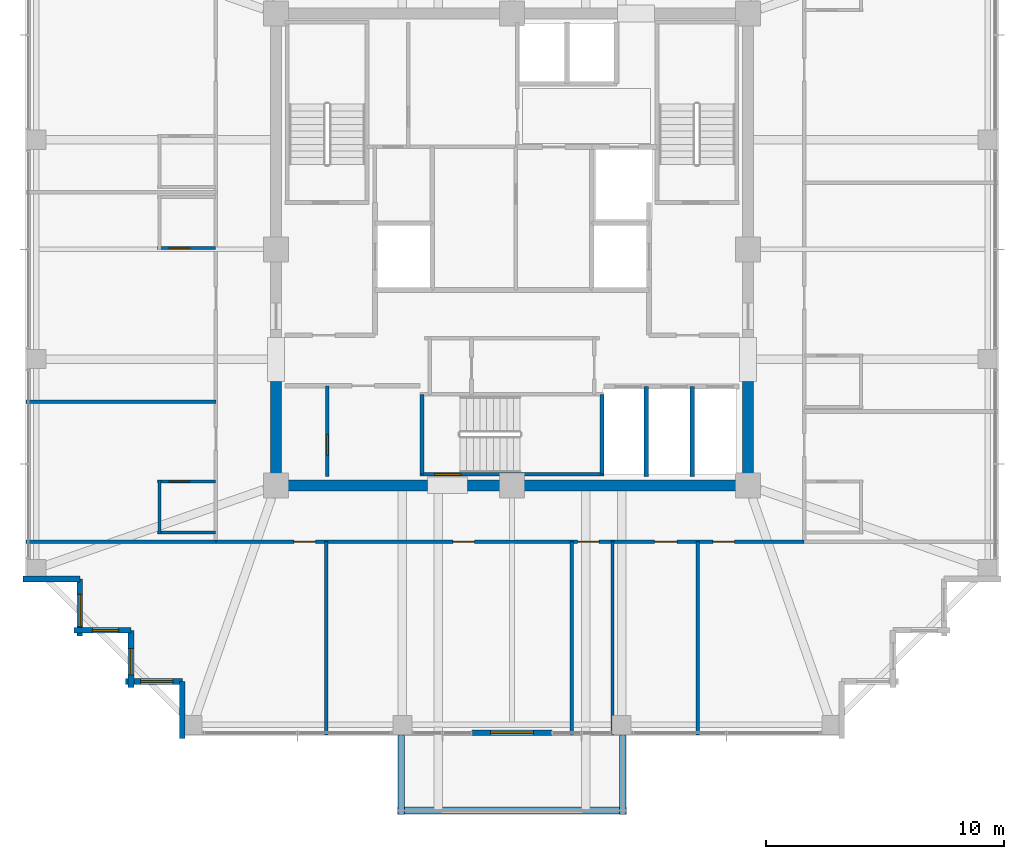
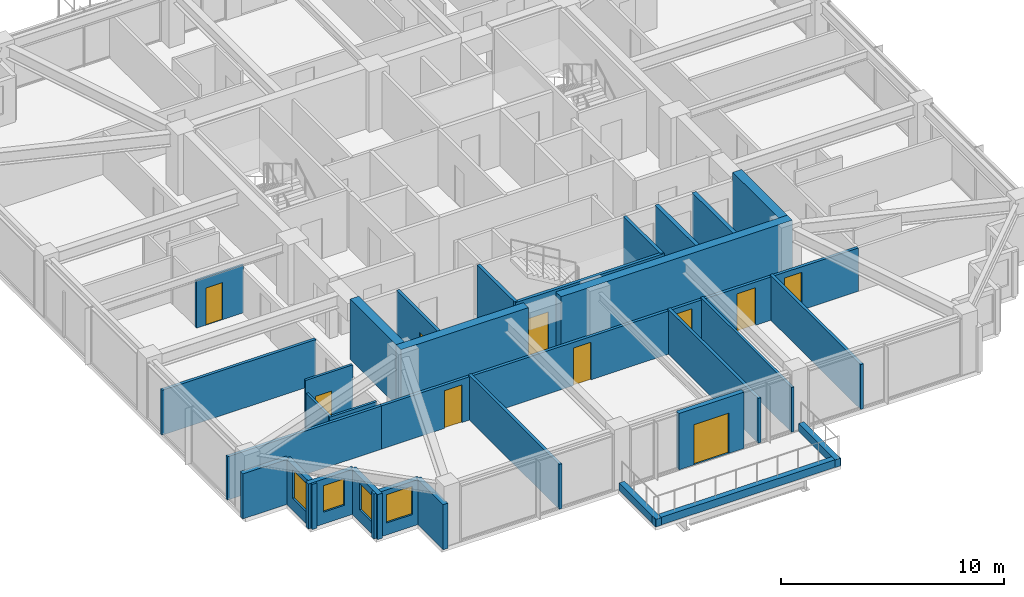
# One storey, part 30 of 36: 31 walls, 10 doors, 4 windows, 14 openings.
"""IFC4 building model written with IfcOpenShell, lengths in metres."""

from ifc_helpers import new_model, si_unit, direction, frame, frame_2d, origin, place, context, subcontext, project, spatial, rectangle, extrude, material, layer, layer_set, type_object, element, fill, save


model = new_model("IFC4")

# Units and contexts
model_context = context("Model", 3, precision=1e-05, world=origin(), true_north=direction((0.0, 1.0)))
body_context = subcontext(model_context, "Body", "Model", "MODEL_VIEW")
ifc_project = project(units=[si_unit("LENGTHUNIT", "METRE"), si_unit("AREAUNIT", "SQUARE_METRE"), si_unit("VOLUMEUNIT", "CUBIC_METRE"), si_unit("PLANEANGLEUNIT", "RADIAN"), si_unit("MASSUNIT", "GRAM", prefix="KILO")], contexts=[model_context])

# Site, building, storey
site_placement = place(None, origin())
site = spatial("IfcSite", under=ifc_project, at=site_placement, CompositionType="ELEMENT")
building_placement = place(site_placement, origin())
building = spatial("IfcBuilding", under=site, at=building_placement, Name="Kolvaren Belvedere", CompositionType="ELEMENT")
storey_placement = place(building_placement, frame((0.0, 0.0, 226.199951171875)))
storey = spatial("IfcBuildingStorey", under=building, at=storey_placement, Name="L66", CompositionType="ELEMENT", Elevation=226.199951171875)

# Walls
ifc_material_1 = material(Name="Concrete C50/60", Category="concrete")
ifc_layer_1 = layer(ifc_material_1, 0.449951171875)
ifc_layer_set_1 = layer_set([ifc_layer_1], Name="Concrete C50/60")
wall_type_1 = type_object("IfcWallType", Name="CW-CORE-450", PredefinedType="SHEAR", material=ifc_layer_set_1)
wall_1_placement = place(storey_placement, frame((10.125, -9.89990234375, 0.0), z_axis=(0.0, 0.0, 1.0), x_axis=(-1.0, 0.0, 0.0)))
element("IfcWall", 1, at=wall_1_placement, inside=storey, type_object=wall_type_1, Name="L66 South Core Shear Wall 1", PredefinedType="SHEAR", context=body_context, shape_type="SweptSolid", body=[
    extrude(rectangle(XDim=11.985107421875, YDim=0.449951171875, at=frame_2d((5.99267578125, 0.0))), origin(), (0.0, 0.0, 1.0), 3.300048828125),
])
wall_2_placement = place(storey_placement, frame((-3.5400390625, -9.89990234375, 0.0), z_axis=(0.0, 0.0, 1.0), x_axis=(-1.0, 0.0, 0.0)))
element("IfcWall", 2, at=wall_2_placement, inside=storey, type_object=wall_type_1, Name="L66 South Core Shear Wall 2", PredefinedType="SHEAR", context=body_context, shape_type="SweptSolid", body=[
    extrude(rectangle(XDim=6.5849609375, YDim=0.449951171875, at=frame_2d((3.29248046875, 0.0))), origin(), (0.0, 0.0, 1.0), 3.300048828125),
])
for number, where, z_axis, x_axis, name in (
    (3, (-9.89990234375, -9.675048828125, 0.0), (0.0, 0.0, 1.0), (0.0, 1.0, 0.0), "L66 West Core Shear Wall 1"),
    (4, (9.89990234375, -9.675048828125, 0.0), (0.0, 0.0, 1.0), (0.0, 1.0, 0.0), "L66 East Core Shear Wall 1"),
):
    element("IfcWall", number, at=place(storey_placement, frame(where, z_axis=z_axis, x_axis=x_axis)), inside=storey, type_object=wall_type_1, Name=name, PredefinedType="SHEAR", context=body_context, shape_type="SweptSolid", body=[
        extrude(rectangle(XDim=4.125, YDim=0.449951171875, at=frame_2d((2.0625, 0.0))), origin(), (0.0, 0.0, 1.0), 3.300048828125),
    ])

# Wall, opening, door
ifc_material_2 = material(Name="Concrete C50/60", Category="concrete")
ifc_layer_2 = layer(ifc_material_2, 0.159912109375)
ifc_layer_set_2 = layer_set([ifc_layer_2], Name="Concrete C50/60")
wall_type_2 = type_object("IfcWallType", Name="CW-STAIR-160", PredefinedType="SHEAR", material=ifc_layer_set_2)
wall_3_placement = place(storey_placement, frame((3.860107421875, -9.429931640625, 0.0), z_axis=(0.0, 0.0, 1.0), x_axis=(-1.0, 0.0, 0.0)))
wall_3 = element("IfcWall", 5, at=wall_3_placement, inside=storey, type_object=wall_type_2, Name="L66 Stair ST-3 South Shear Wall", PredefinedType="SHEAR", context=body_context, shape_type="SweptSolid", body=[
    extrude(rectangle(XDim=7.72021484375, YDim=0.159912109375, at=frame_2d((3.860107421875, 0.0))), origin(), (0.0, 0.0, 1.0), 3.300048828125),
])
opening_1_placement = place(wall_3_placement, frame((6.010009765625, 0.0, 0.0)))
opening_1 = element("IfcOpeningElement", 6, at=opening_1_placement, cuts=wall_3, Name="Opening D-FD90", PredefinedType="OPENING", context=body_context, shape_type="SweptSolid", body=[
    extrude(rectangle(XDim=1.10009765625, YDim=2.199951171875, at=frame_2d((0.550048828125, 1.10009765625))), frame((0.0, 0.08984375, 0.0), z_axis=(0.0, -1.0, 0.0), x_axis=(1.0, 0.0, 0.0)), (0.0, 0.0, 1.0), 0.179931640625),
])
ifc_material_3 = material(Name="Painted hollow stainless steel", Category="steel")
door_type_1 = type_object("IfcDoorType", Name="DR-FD90-1100", OperationType="NOTDEFINED", PredefinedType="DOOR", material=ifc_material_3)
door_1_placement = place(opening_1_placement, origin())
door_1 = element("IfcDoor", 7, at=door_1_placement, inside=storey, type_object=door_type_1, Name="L66 Stair ST-3 Exit Door", OperationType="SINGLE_SWING_RIGHT", OverallHeight=2.199951171875, OverallWidth=1.10009765625, PredefinedType="DOOR", context=body_context, shape_type="SweptSolid", body=[
    extrude(rectangle(XDim=1.10009765625, YDim=2.199951171875, at=frame_2d((0.550048828125, 1.10009765625))), frame((0.0, 0.02490234375, 0.0), z_axis=(0.0, -1.0, 0.0), x_axis=(1.0, 0.0, 0.0)), (0.0, 0.0, 1.0), 0.050048828125),
])
fill(opening_1, door_1)

# Walls
for number, where, z_axis, x_axis, name in (
    (8, (-3.780029296875, -9.429931640625, 0.0), (0.0, 0.0, 1.0), (0.0, 1.0, 0.0), "L66 Stair ST-3 West Shear Wall"),
    (9, (3.780029296875, -9.429931640625, 0.0), (0.0, 0.0, 1.0), (0.0, 1.0, 0.0), "L66 Stair ST-3 East Shear Wall"),
):
    element("IfcWall", number, at=place(storey_placement, frame(where, z_axis=z_axis, x_axis=x_axis)), inside=storey, type_object=wall_type_2, Name=name, PredefinedType="SHEAR", context=body_context, shape_type="SweptSolid", body=[
        extrude(rectangle(XDim=3.349853515625, YDim=0.159912109375, at=frame_2d((1.6748046875, 0.0))), origin(), (0.0, 0.0, 1.0), 3.300048828125),
    ])

# Wall, openings, doors
ifc_material_4 = material(Name="Gypsum fire-rated partition assembly", Category="gypsum")
ifc_layer_3 = layer(ifc_material_4, 0.14990234375)
ifc_layer_set_3 = layer_set([ifc_layer_3], Name="Gypsum fire-rated partition assembly")
wall_type_3 = type_object("IfcWallType", Name="WL-CORR-150", PredefinedType="PARTITIONING", material=ifc_layer_set_3)
wall_4_placement = place(storey_placement, frame((-12.419921875, -12.260009765625, 0.0), z_axis=(0.0, 0.0, 1.0), x_axis=(1.0, 0.0, 0.0)))
wall_4 = element("IfcWall", 10, at=wall_4_placement, inside=storey, type_object=wall_type_3, Name="L66 South Corridor Wall", PredefinedType="PARTITIONING", context=body_context, shape_type="SweptSolid", body=[
    extrude(rectangle(XDim=24.679931640625, YDim=0.14990234375, at=frame_2d((12.33984375, 0.0))), origin(), (0.0, 0.0, 1.0), 2.369140625),
])
opening_2_placement = place(wall_4_placement, frame((3.267333984375, 0.0, 0.0)))
opening_2 = element("IfcOpeningElement", 11, at=opening_2_placement, cuts=wall_4, Name="Opening D-INT90", PredefinedType="OPENING", context=body_context, shape_type="SweptSolid", body=[
    extrude(rectangle(XDim=0.89990234375, YDim=2.06005859375, at=frame_2d((0.449951171875, 1.030029296875))), frame((0.0, 0.0849609375, 0.0), z_axis=(0.0, -1.0, 0.0), x_axis=(1.0, 0.0, 0.0)), (0.0, 0.0, 1.0), 0.169921875),
])
opening_3_placement = place(wall_4_placement, frame((9.93994140625, 0.0, 0.0)))
opening_3 = element("IfcOpeningElement", 12, at=opening_3_placement, cuts=wall_4, Name="Opening D-INT90", PredefinedType="OPENING", context=body_context, shape_type="SweptSolid", body=[
    extrude(rectangle(XDim=0.89990234375, YDim=2.06005859375, at=frame_2d((0.449951171875, 1.030029296875))), frame((0.0, 0.0849609375, 0.0), z_axis=(0.0, -1.0, 0.0), x_axis=(1.0, 0.0, 0.0)), (0.0, 0.0, 1.0), 0.169921875),
])
opening_4_placement = place(wall_4_placement, frame((15.177001953125, 0.0, 0.0)))
opening_4 = element("IfcOpeningElement", 13, at=opening_4_placement, cuts=wall_4, Name="Opening D-INT90", PredefinedType="OPENING", context=body_context, shape_type="SweptSolid", body=[
    extrude(rectangle(XDim=0.89990234375, YDim=2.06005859375, at=frame_2d((0.449951171875, 1.030029296875))), frame((0.0, 0.0849609375, 0.0), z_axis=(0.0, -1.0, 0.0), x_axis=(1.0, 0.0, 0.0)), (0.0, 0.0, 1.0), 0.169921875),
])
opening_5_placement = place(wall_4_placement, frame((18.39990234375, 0.0, 0.0)))
opening_5 = element("IfcOpeningElement", 14, at=opening_5_placement, cuts=wall_4, Name="Opening D-INT95", PredefinedType="OPENING", context=body_context, shape_type="SweptSolid", body=[
    extrude(rectangle(XDim=0.949951171875, YDim=2.06005859375, at=frame_2d((0.47509765625, 1.030029296875))), frame((0.0, 0.0849609375, 0.0), z_axis=(0.0, -1.0, 0.0), x_axis=(1.0, 0.0, 0.0)), (0.0, 0.0, 1.0), 0.169921875),
])
opening_6_placement = place(wall_4_placement, frame((20.849853515625, 0.0, 0.0)))
opening_6 = element("IfcOpeningElement", 15, at=opening_6_placement, cuts=wall_4, Name="Opening D-INT90", PredefinedType="OPENING", context=body_context, shape_type="SweptSolid", body=[
    extrude(rectangle(XDim=0.89990234375, YDim=2.06005859375, at=frame_2d((0.449951171875, 1.030029296875))), frame((0.0, 0.0849609375, 0.0), z_axis=(0.0, -1.0, 0.0), x_axis=(1.0, 0.0, 0.0)), (0.0, 0.0, 1.0), 0.169921875),
])
ifc_material_5 = material(Name="Stained Pacific white oak", Category="timber")
door_type_2 = type_object("IfcDoorType", Name="DR-INT-900", OperationType="NOTDEFINED", PredefinedType="DOOR", material=ifc_material_5)
door_2_placement = place(opening_2_placement, origin())
door_2 = element("IfcDoor", 16, at=door_2_placement, inside=storey, type_object=door_type_2, Name="L66 Guest Tea & Espresso Kitchen 6601 Door", OperationType="SINGLE_SWING_LEFT", OverallHeight=2.06005859375, OverallWidth=0.89990234375, PredefinedType="DOOR", context=body_context, shape_type="SweptSolid", body=[
    extrude(rectangle(XDim=0.89990234375, YDim=2.06005859375, at=frame_2d((0.449951171875, 1.030029296875))), frame((0.0, 0.02490234375, 0.0), z_axis=(0.0, -1.0, 0.0), x_axis=(1.0, 0.0, 0.0)), (0.0, 0.0, 1.0), 0.050048828125),
])
fill(opening_2, door_2)
door_3_placement = place(opening_3_placement, origin())
door_3 = element("IfcDoor", 17, at=door_3_placement, inside=storey, type_object=door_type_2, Name="L66 Private Hospitality Meeting Room 6602 Door", OperationType="SINGLE_SWING_RIGHT", OverallHeight=2.06005859375, OverallWidth=0.89990234375, PredefinedType="DOOR", context=body_context, shape_type="SweptSolid", body=[
    extrude(rectangle(XDim=0.89990234375, YDim=2.06005859375, at=frame_2d((0.449951171875, 1.030029296875))), frame((0.0, 0.02490234375, 0.0), z_axis=(0.0, -1.0, 0.0), x_axis=(1.0, 0.0, 0.0)), (0.0, 0.0, 1.0), 0.050048828125),
])
fill(opening_3, door_3)
door_4_placement = place(opening_4_placement, origin())
door_4 = element("IfcDoor", 18, at=door_4_placement, inside=storey, type_object=door_type_2, Name="L66 Housekeeping Door", OperationType="SINGLE_SWING_LEFT", OverallHeight=2.06005859375, OverallWidth=0.89990234375, PredefinedType="DOOR", context=body_context, shape_type="SweptSolid", body=[
    extrude(rectangle(XDim=0.89990234375, YDim=2.06005859375, at=frame_2d((0.449951171875, 1.030029296875))), frame((0.0, 0.02490234375, 0.0), z_axis=(0.0, -1.0, 0.0), x_axis=(1.0, 0.0, 0.0)), (0.0, 0.0, 1.0), 0.050048828125),
])
fill(opening_4, door_4)
door_5_placement = place(opening_6_placement, origin())
door_5 = element("IfcDoor", 19, at=door_5_placement, inside=storey, type_object=door_type_2, Name="L66 Botanical Reading Salon 6603 Door", OperationType="SINGLE_SWING_LEFT", OverallHeight=2.06005859375, OverallWidth=0.89990234375, PredefinedType="DOOR", context=body_context, shape_type="SweptSolid", body=[
    extrude(rectangle(XDim=0.89990234375, YDim=2.06005859375, at=frame_2d((0.449951171875, 1.030029296875))), frame((0.0, 0.02490234375, 0.0), z_axis=(0.0, -1.0, 0.0), x_axis=(1.0, 0.0, 0.0)), (0.0, 0.0, 1.0), 0.050048828125),
])
fill(opening_6, door_5)
ifc_material_6 = material(Name="Stained Pacific white oak", Category="timber")
door_type_3 = type_object("IfcDoorType", Name="DR-INT-950", OperationType="NOTDEFINED", PredefinedType="DOOR", material=ifc_material_6)
door_6_placement = place(opening_5_placement, origin())
door_6 = element("IfcDoor", 20, at=door_6_placement, inside=storey, type_object=door_type_3, Name="L66 Accessible Washroom Door", OperationType="SINGLE_SWING_RIGHT", OverallHeight=2.06005859375, OverallWidth=0.949951171875, PredefinedType="DOOR", context=body_context, shape_type="SweptSolid", body=[
    extrude(rectangle(XDim=0.949951171875, YDim=2.06005859375, at=frame_2d((0.47509765625, 1.030029296875))), frame((0.0, 0.02490234375, 0.0), z_axis=(0.0, -1.0, 0.0), x_axis=(1.0, 0.0, 0.0)), (0.0, 0.0, 1.0), 0.050048828125),
])
fill(opening_5, door_6)

# Wall, opening, door
ifc_material_7 = material(Name="Insulated pale-metal facade wall assembly", Category="aluminium")
ifc_layer_4 = layer(ifc_material_7, 0.239990234375)
ifc_layer_set_4 = layer_set([ifc_layer_4], Name="Insulated pale-metal facade wall assembly")
wall_type_4 = type_object("IfcWallType", Name="WL-EXT-240", PredefinedType="STANDARD", material=ifc_layer_set_4)
wall_5_placement = place(storey_placement, frame((1.679931640625, -20.280029296875, 0.0), z_axis=(0.0, 0.0, 1.0), x_axis=(-1.0, 0.0, 0.0)))
wall_5 = element("IfcWall", 21, at=wall_5_placement, inside=storey, type_object=wall_type_4, Name="L66 South Terrace Portal Wall", PredefinedType="STANDARD", context=body_context, shape_type="SweptSolid", body=[
    extrude(rectangle(XDim=3.35986328125, YDim=0.239990234375, at=frame_2d((1.679931640625, 0.0))), origin(), (0.0, 0.0, 1.0), 3.080078125),
])
opening_7_placement = place(wall_5_placement, frame((0.780029296875, 0.0, 0.0)))
opening_7 = element("IfcOpeningElement", 22, at=opening_7_placement, cuts=wall_5, Name="Opening DB-1800", PredefinedType="OPENING", context=body_context, shape_type="SweptSolid", body=[
    extrude(rectangle(XDim=1.800048828125, YDim=2.199951171875, at=frame_2d((0.89990234375, 1.10009765625))), frame((0.0, 0.1298828125, 0.0), z_axis=(0.0, -1.0, 0.0), x_axis=(1.0, 0.0, 0.0)), (0.0, 0.0, 1.0), 0.260009765625),
])
ifc_material_8 = material(Name="Thermally broken pale-metal aluminium & low-iron glass", Category="aluminium")
door_type_4 = type_object("IfcDoorType", Name="DR-BAL-1800", OperationType="DOUBLE_DOOR_SLIDING", PredefinedType="DOOR", material=ifc_material_8)
door_7_placement = place(opening_7_placement, origin())
door_7 = element("IfcDoor", 23, at=door_7_placement, inside=storey, type_object=door_type_4, Name="L66 South Planted Terrace Sliding Door", OperationType="DOUBLE_DOOR_SLIDING", OverallHeight=2.199951171875, OverallWidth=1.800048828125, PredefinedType="DOOR", context=body_context, shape_type="SweptSolid", body=[
    extrude(rectangle(XDim=1.800048828125, YDim=2.199951171875, at=frame_2d((0.89990234375, 1.10009765625))), frame((0.0, 0.02490234375, 0.0), z_axis=(0.0, -1.0, 0.0), x_axis=(1.0, 0.0, 0.0)), (0.0, 0.0, 1.0), 0.050048828125),
])
fill(opening_7, door_7)

# Wall
wall_6_placement = place(storey_placement, frame((-18.1298828125, -13.830078125, 0.0), z_axis=(0.0, 0.0, 1.0), x_axis=(-1.0, 0.0, 0.0)))
element("IfcWall", 24, at=wall_6_placement, inside=storey, type_object=wall_type_4, Name="L66 Serrated Corner Facade Wall 23", PredefinedType="STANDARD", context=body_context, shape_type="SweptSolid", body=[
    extrude(rectangle(XDim=2.39013671875, YDim=0.239990234375, at=frame_2d((1.195068359375, 0.0))), origin(), (0.0, 0.0, 1.0), 2.463134765625),
])

# Wall, opening, window
wall_7_placement = place(storey_placement, frame((-18.1298828125, -16.219970703125, 0.0), z_axis=(0.0, 0.0, 1.0), x_axis=(0.0, 1.0, 0.0)))
wall_7 = element("IfcWall", 25, at=wall_7_placement, inside=storey, type_object=wall_type_4, Name="L66 Serrated Corner Facade Wall 24", PredefinedType="STANDARD", context=body_context, shape_type="SweptSolid", body=[
    extrude(rectangle(XDim=2.389892578125, YDim=0.239990234375, at=frame_2d((1.19482421875, 0.0))), origin(), (0.0, 0.0, 1.0), 2.463134765625),
])
opening_8_placement = place(wall_7_placement, frame((0.39990234375, 0.0, 0.64990234375)))
opening_8 = element("IfcOpeningElement", 26, at=opening_8_placement, cuts=wall_7, Name="Opening W-1350", PredefinedType="OPENING", context=body_context, shape_type="SweptSolid", body=[
    extrude(rectangle(XDim=1.35009765625, YDim=1.550048828125, at=frame_2d((0.675048828125, 0.77490234375))), frame((0.0, 0.1298828125, 0.0), z_axis=(0.0, -1.0, 0.0), x_axis=(1.0, 0.0, 0.0)), (0.0, 0.0, 1.0), 0.260009765625),
])
ifc_material_9 = material(Name="Low-iron triple insulated glass", Category="glass")
window_type_1 = type_object("IfcWindowType", Name="WN-CORN-1350", PartitioningType="SINGLE_PANEL", PredefinedType="WINDOW", material=ifc_material_9)
window_1_placement = place(opening_8_placement, origin())
window_1 = element("IfcWindow", 27, at=window_1_placement, inside=storey, type_object=window_type_1, Name="L66 Serrated Corner Vision Window 24", OverallHeight=1.550048828125, OverallWidth=1.35009765625, PartitioningType="SINGLE_PANEL", PredefinedType="WINDOW", context=body_context, shape_type="SweptSolid", body=[
    extrude(rectangle(XDim=1.35009765625, YDim=1.550048828125, at=frame_2d((0.675048828125, 0.77490234375))), frame((0.0, 0.030029296875, 0.0), z_axis=(0.0, -1.0, 0.0), x_axis=(1.0, 0.0, 0.0)), (0.0, 0.0, 1.0), 0.06005859375),
])
fill(opening_8, window_1)

wall_8_placement = place(storey_placement, frame((-15.97998046875, -15.97998046875, 0.0), z_axis=(0.0, 0.0, 1.0), x_axis=(-1.0, 0.0, 0.0)))
wall_8 = element("IfcWall", 28, at=wall_8_placement, inside=storey, type_object=wall_type_4, Name="L66 Serrated Corner Facade Wall 25", PredefinedType="STANDARD", context=body_context, shape_type="SweptSolid", body=[
    extrude(rectangle(XDim=2.39013671875, YDim=0.239990234375, at=frame_2d((1.195068359375, 0.0))), origin(), (0.0, 0.0, 1.0), 2.463134765625),
])
opening_9_placement = place(wall_8_placement, frame((0.52490234375, 0.0, 0.64990234375)))
opening_9 = element("IfcOpeningElement", 29, at=opening_9_placement, cuts=wall_8, Name="Opening W-1100", PredefinedType="OPENING", context=body_context, shape_type="SweptSolid", body=[
    extrude(rectangle(XDim=1.10009765625, YDim=1.449951171875, at=frame_2d((0.550048828125, 0.72509765625))), frame((0.0, 0.1298828125, 0.0), z_axis=(0.0, -1.0, 0.0), x_axis=(1.0, 0.0, 0.0)), (0.0, 0.0, 1.0), 0.260009765625),
])
ifc_material_10 = material(Name="Low-iron triple insulated glass", Category="glass")
window_type_2 = type_object("IfcWindowType", Name="WN-CORN-1100", PartitioningType="SINGLE_PANEL", PredefinedType="WINDOW", material=ifc_material_10)
window_2_placement = place(opening_9_placement, origin())
window_2 = element("IfcWindow", 30, at=window_2_placement, inside=storey, type_object=window_type_2, Name="L66 Serrated Corner Vision Window 25", OverallHeight=1.449951171875, OverallWidth=1.10009765625, PartitioningType="SINGLE_PANEL", PredefinedType="WINDOW", context=body_context, shape_type="SweptSolid", body=[
    extrude(rectangle(XDim=1.10009765625, YDim=1.449951171875, at=frame_2d((0.550048828125, 0.72509765625))), frame((0.0, 0.030029296875, 0.0), z_axis=(0.0, -1.0, 0.0), x_axis=(1.0, 0.0, 0.0)), (0.0, 0.0, 1.0), 0.06005859375),
])
fill(opening_9, window_2)

wall_9_placement = place(storey_placement, frame((-15.97998046875, -18.3701171875, 0.0), z_axis=(0.0, 0.0, 1.0), x_axis=(0.0, 1.0, 0.0)))
wall_9 = element("IfcWall", 31, at=wall_9_placement, inside=storey, type_object=wall_type_4, Name="L66 Serrated Corner Facade Wall 26", PredefinedType="STANDARD", context=body_context, shape_type="SweptSolid", body=[
    extrude(rectangle(XDim=2.39013671875, YDim=0.239990234375, at=frame_2d((1.195068359375, 0.0))), origin(), (0.0, 0.0, 1.0), 2.463134765625),
])
opening_10_placement = place(wall_9_placement, frame((0.52490234375, 0.0, 0.64990234375)))
opening_10 = element("IfcOpeningElement", 32, at=opening_10_placement, cuts=wall_9, Name="Opening W-1100", PredefinedType="OPENING", context=body_context, shape_type="SweptSolid", body=[
    extrude(rectangle(XDim=1.10009765625, YDim=1.449951171875, at=frame_2d((0.550048828125, 0.72509765625))), frame((0.0, 0.1298828125, 0.0), z_axis=(0.0, -1.0, 0.0), x_axis=(1.0, 0.0, 0.0)), (0.0, 0.0, 1.0), 0.260009765625),
])
window_3_placement = place(opening_10_placement, origin())
window_3 = element("IfcWindow", 33, at=window_3_placement, inside=storey, type_object=window_type_2, Name="L66 Serrated Corner Vision Window 26", OverallHeight=1.449951171875, OverallWidth=1.10009765625, PartitioningType="SINGLE_PANEL", PredefinedType="WINDOW", context=body_context, shape_type="SweptSolid", body=[
    extrude(rectangle(XDim=1.10009765625, YDim=1.449951171875, at=frame_2d((0.550048828125, 0.72509765625))), frame((0.0, 0.030029296875, 0.0), z_axis=(0.0, -1.0, 0.0), x_axis=(1.0, 0.0, 0.0)), (0.0, 0.0, 1.0), 0.06005859375),
])
fill(opening_10, window_3)

wall_10_placement = place(storey_placement, frame((-13.830078125, -18.1298828125, 0.0), z_axis=(0.0, 0.0, 1.0), x_axis=(-1.0, 0.0, 0.0)))
wall_10 = element("IfcWall", 34, at=wall_10_placement, inside=storey, type_object=wall_type_4, Name="L66 Serrated Corner Facade Wall 27", PredefinedType="STANDARD", context=body_context, shape_type="SweptSolid", body=[
    extrude(rectangle(XDim=2.389892578125, YDim=0.239990234375, at=frame_2d((1.19482421875, 0.0))), origin(), (0.0, 0.0, 1.0), 2.463134765625),
])
opening_11_placement = place(wall_10_placement, frame((0.39990234375, 0.0, 0.64990234375)))
opening_11 = element("IfcOpeningElement", 35, at=opening_11_placement, cuts=wall_10, Name="Opening W-1350", PredefinedType="OPENING", context=body_context, shape_type="SweptSolid", body=[
    extrude(rectangle(XDim=1.35009765625, YDim=1.550048828125, at=frame_2d((0.675048828125, 0.77490234375))), frame((0.0, 0.1298828125, 0.0), z_axis=(0.0, -1.0, 0.0), x_axis=(1.0, 0.0, 0.0)), (0.0, 0.0, 1.0), 0.260009765625),
])
window_4_placement = place(opening_11_placement, origin())
window_4 = element("IfcWindow", 36, at=window_4_placement, inside=storey, type_object=window_type_1, Name="L66 Serrated Corner Vision Window 27", OverallHeight=1.550048828125, OverallWidth=1.35009765625, PartitioningType="SINGLE_PANEL", PredefinedType="WINDOW", context=body_context, shape_type="SweptSolid", body=[
    extrude(rectangle(XDim=1.35009765625, YDim=1.550048828125, at=frame_2d((0.675048828125, 0.77490234375))), frame((0.0, 0.030029296875, 0.0), z_axis=(0.0, -1.0, 0.0), x_axis=(1.0, 0.0, 0.0)), (0.0, 0.0, 1.0), 0.06005859375),
])
fill(opening_11, window_4)

# Wall
wall_11_placement = place(storey_placement, frame((-13.830078125, -20.52001953125, 0.0), z_axis=(0.0, 0.0, 1.0), x_axis=(0.0, 1.0, 0.0)))
element("IfcWall", 37, at=wall_11_placement, inside=storey, type_object=wall_type_4, Name="L66 Serrated Corner Facade Wall 28", PredefinedType="STANDARD", context=body_context, shape_type="SweptSolid", body=[
    extrude(rectangle(XDim=2.39013671875, YDim=0.239990234375, at=frame_2d((1.195068359375, 0.0))), origin(), (0.0, 0.0, 1.0), 2.463134765625),
])

# Wall, opening, door
ifc_material_11 = material(Name="Gypsum acoustic partition assembly", Category="gypsum")
ifc_layer_5 = layer(ifc_material_11, 0.14990234375)
ifc_layer_set_5 = layer_set([ifc_layer_5], Name="Gypsum acoustic partition assembly")
wall_type_5 = type_object("IfcWallType", Name="WL-PART-150", PredefinedType="PARTITIONING", material=ifc_layer_set_5)
wall_12_placement = place(storey_placement, frame((-7.75, -9.52001953125, 0.0), z_axis=(0.0, 0.0, 1.0), x_axis=(0.0, 1.0, 0.0)))
wall_12 = element("IfcWall", 38, at=wall_12_placement, inside=storey, type_object=wall_type_5, Name="L66 Reclaimed Mid Store Divider", PredefinedType="PARTITIONING", context=body_context, shape_type="SweptSolid", body=[
    extrude(rectangle(XDim=3.800048828125, YDim=0.14990234375, at=frame_2d((1.89990234375, 0.0))), origin(), (0.0, 0.0, 1.0), 3.080078125),
])
opening_12_placement = place(wall_12_placement, frame((0.89990234375, 0.0, 0.0)))
opening_12 = element("IfcOpeningElement", 39, at=opening_12_placement, cuts=wall_12, Name="Opening D-INT85", PredefinedType="OPENING", context=body_context, shape_type="SweptSolid", body=[
    extrude(rectangle(XDim=0.85009765625, YDim=2.030029296875, at=frame_2d((0.425048828125, 1.01513671875))), frame((0.0, 0.0849609375, 0.0), z_axis=(0.0, -1.0, 0.0), x_axis=(1.0, 0.0, 0.0)), (0.0, 0.0, 1.0), 0.169921875),
])
ifc_material_12 = material(Name="Stained Pacific white oak", Category="timber")
door_type_5 = type_object("IfcDoorType", Name="DR-INT-850", OperationType="NOTDEFINED", PredefinedType="DOOR", material=ifc_material_12)
door_8_placement = place(opening_12_placement, origin())
door_8 = element("IfcDoor", 40, at=door_8_placement, inside=storey, type_object=door_type_5, Name="L66 Janitor Store Door", OperationType="SINGLE_SWING_RIGHT", OverallHeight=2.030029296875, OverallWidth=0.85009765625, PredefinedType="DOOR", context=body_context, shape_type="SweptSolid", body=[
    extrude(rectangle(XDim=0.85009765625, YDim=2.030029296875, at=frame_2d((0.425048828125, 1.01513671875))), frame((0.0, 0.02490234375, 0.0), z_axis=(0.0, -1.0, 0.0), x_axis=(1.0, 0.0, 0.0)), (0.0, 0.0, 1.0), 0.050048828125),
])
fill(opening_12, door_8)

# Walls
wall_13_placement = place(storey_placement, frame((-20.3798828125, -12.260009765625, 0.0), z_axis=(0.0, 0.0, 1.0), x_axis=(1.0, 0.0, 0.0)))
element("IfcWall", 41, at=wall_13_placement, inside=storey, type_object=wall_type_5, Name="L66 Wing Divider PW-L66-QSW", PredefinedType="PARTITIONING", context=body_context, shape_type="SweptSolid", body=[
    extrude(rectangle(XDim=7.9599609375, YDim=0.14990234375, at=frame_2d((3.97998046875, 0.0))), origin(), (0.0, 0.0, 1.0), 2.369140625),
])
for number, where, z_axis, x_axis, name in (
    (42, (-7.800048828125, -20.3798828125, 0.0), (0.0, 0.0, 1.0), (0.0, 1.0, 0.0), "L66 South Suite Demising Wall 1"),
    (43, (2.5, -20.3798828125, 0.0), (0.0, 0.0, 1.0), (0.0, 1.0, 0.0), "L66 South Suite Demising Wall 2"),
    (44, (7.800048828125, -20.3798828125, 0.0), (0.0, 0.0, 1.0), (0.0, 1.0, 0.0), "L66 South Suite Demising Wall 3"),
):
    element("IfcWall", number, at=place(storey_placement, frame(where, z_axis=z_axis, x_axis=x_axis)), inside=storey, type_object=wall_type_5, Name=name, PredefinedType="PARTITIONING", context=body_context, shape_type="SweptSolid", body=[
        extrude(rectangle(XDim=8.119873046875, YDim=0.14990234375, at=frame_2d((4.06005859375, 0.0))), origin(), (0.0, 0.0, 1.0), 2.453125),
    ])
wall_14_placement = place(storey_placement, frame((-20.3798828125, -6.39990234375, 0.0), z_axis=(0.0, 0.0, 1.0), x_axis=(1.0, 0.0, 0.0)))
element("IfcWall", 45, at=wall_14_placement, inside=storey, type_object=wall_type_5, Name="L66 West Suite Demising Wall 1", PredefinedType="PARTITIONING", context=body_context, shape_type="SweptSolid", body=[
    extrude(rectangle(XDim=7.9599609375, YDim=0.14990234375, at=frame_2d((3.97998046875, 0.0))), origin(), (0.0, 0.0, 1.0), 2.453125),
])
ifc_material_13 = material(Name="Precast concrete C40/50", Category="concrete")
ifc_layer_6 = layer(ifc_material_13, 0.300048828125)
ifc_layer_set_6 = layer_set([ifc_layer_6], Name="Precast concrete C40/50")
wall_type_6 = type_object("IfcWallType", Name="WL-PLANTER-300", PredefinedType="PARAPET", material=ifc_layer_set_6)
wall_15_placement = place(storey_placement, frame((-4.800048828125, -23.5400390625, -0.0400390625), z_axis=(0.0, 0.0, 1.0), x_axis=(1.0, 0.0, 0.0)))
element("IfcWall", 46, at=wall_15_placement, inside=storey, type_object=wall_type_6, Name="L66 Precast Structural Planter Wall SPIRAL-10-S-1", PredefinedType="PARAPET", context=body_context, shape_type="SweptSolid", body=[
    extrude(rectangle(XDim=9.60009765625, YDim=0.280029296875, at=frame_2d((4.800048828125, 0.0))), origin(), (0.0, 0.0, 1.0), 0.420166015625),
])
for number, where, z_axis, x_axis, name in (
    (47, (4.639892578125, -23.699951171875, -0.0400390625), (0.0, 0.0, 1.0), (0.0, 1.0, 0.0), "L66 Precast Structural Planter Wall SPIRAL-10-S-2"),
    (48, (-4.639892578125, -20.39990234375, -0.0400390625), (0.0, 0.0, 1.0), (0.0, -1.0, 0.0), "L66 Precast Structural Planter Wall SPIRAL-10-S-4"),
):
    element("IfcWall", number, at=place(storey_placement, frame(where, z_axis=z_axis, x_axis=x_axis)), inside=storey, type_object=wall_type_6, Name=name, PredefinedType="PARAPET", context=body_context, shape_type="SweptSolid", body=[
        extrude(rectangle(XDim=3.300048828125, YDim=0.280029296875, at=frame_2d((1.64990234375, 0.0))), origin(), (0.0, 0.0, 1.0), 0.420166015625),
    ])
ifc_material_14 = material(Name="Concrete C50/60", Category="concrete")
ifc_layer_7 = layer(ifc_material_14, 0.199951171875)
ifc_layer_set_7 = layer_set([ifc_layer_7], Name="Concrete C50/60")
wall_type_7 = type_object("IfcWallType", Name="WL-SHAFT-200", PredefinedType="SOLIDWALL", material=ifc_layer_set_7)
for number, where, z_axis, x_axis, name in (
    (49, (5.6298828125, -9.52001953125, 0.0), (0.0, 0.0, 1.0), (0.0, 1.0, 0.0), "L66 High-Rise Hoistway Divider 1"),
    (50, (7.56005859375, -9.52001953125, 0.0), (0.0, 0.0, 1.0), (0.0, 1.0, 0.0), "L66 High-Rise Hoistway Divider 2"),
):
    element("IfcWall", number, at=place(storey_placement, frame(where, z_axis=z_axis, x_axis=x_axis)), inside=storey, type_object=wall_type_7, Name=name, PredefinedType="SOLIDWALL", context=body_context, shape_type="SweptSolid", body=[
        extrude(rectangle(XDim=3.77001953125, YDim=0.199951171875, at=frame_2d((1.885009765625, 0.0))), origin(), (0.0, 0.0, 1.0), 3.080078125),
    ])
ifc_material_15 = material(Name="Moisture-resistant gypsum partition", Category="gypsum")
ifc_layer_8 = layer(ifc_material_15, 0.125)
ifc_layer_set_8 = layer_set([ifc_layer_8], Name="Moisture-resistant gypsum partition")
wall_type_8 = type_object("IfcWallType", Name="WL-WET-125", PredefinedType="PARTITIONING", material=ifc_layer_set_8)
wall_16_placement = place(storey_placement, frame((4.212890625, -20.3798828125, 0.0), z_axis=(0.0, 0.0, 1.0), x_axis=(0.0, 1.0, 0.0)))
element("IfcWall", 51, at=wall_16_placement, inside=storey, type_object=wall_type_8, Name="L66 Housekeeping Washroom Divider", PredefinedType="PARTITIONING", context=body_context, shape_type="SweptSolid", body=[
    extrude(rectangle(XDim=8.144775390625, YDim=0.125, at=frame_2d((4.072265625, 0.0))), origin(), (0.0, 0.0, 1.0), 2.453125),
])

# Wall, opening, door
wall_17_placement = place(storey_placement, frame((-14.875, -9.73095703125, 0.0), z_axis=(0.0, 0.0, 1.0), x_axis=(1.0, 0.0, 0.0)))
wall_17 = element("IfcWall", 52, at=wall_17_placement, inside=storey, type_object=wall_type_8, Name="L66 Bathroom Partition PW-L66-BTH-7-N", PredefinedType="PARTITIONING", context=body_context, shape_type="SweptSolid", body=[
    extrude(rectangle(XDim=2.43994140625, YDim=0.125, at=frame_2d((1.219970703125, 0.0))), origin(), (0.0, 0.0, 1.0), 3.080078125),
])
opening_13_placement = place(wall_17_placement, frame((0.5, 0.0, 0.0)))
opening_13 = element("IfcOpeningElement", 53, at=opening_13_placement, cuts=wall_17, Name="Opening D-BTH85", PredefinedType="OPENING", context=body_context, shape_type="SweptSolid", body=[
    extrude(rectangle(XDim=0.85009765625, YDim=2.030029296875, at=frame_2d((0.425048828125, 1.01513671875))), frame((0.0, 0.072509765625, 0.0), z_axis=(0.0, -1.0, 0.0), x_axis=(1.0, 0.0, 0.0)), (0.0, 0.0, 1.0), 0.14501953125),
])
ifc_material_16 = material(Name="Moisture-sealed Pacific white oak", Category="timber")
door_type_6 = type_object("IfcDoorType", Name="DR-BATH-850", OperationType="NOTDEFINED", PredefinedType="DOOR", material=ifc_material_16)
door_9_placement = place(opening_13_placement, origin())
door_9 = element("IfcDoor", 54, at=door_9_placement, inside=storey, type_object=door_type_6, Name="L66 En-Suite Bathroom 6607 Door", OperationType="SINGLE_SWING_RIGHT", OverallHeight=2.030029296875, OverallWidth=0.85009765625, PredefinedType="DOOR", context=body_context, shape_type="SweptSolid", body=[
    extrude(rectangle(XDim=0.85009765625, YDim=2.030029296875, at=frame_2d((0.425048828125, 1.01513671875))), frame((0.0, 0.02490234375, 0.0), z_axis=(0.0, -1.0, 0.0), x_axis=(1.0, 0.0, 0.0)), (0.0, 0.0, 1.0), 0.050048828125),
])
fill(opening_13, door_9)

# Walls
wall_18_placement = place(storey_placement, frame((-14.794921875, -11.94091796875, 0.0), z_axis=(0.0, 0.0, 1.0), x_axis=(0.0, 1.0, 0.0)))
element("IfcWall", 55, at=wall_18_placement, inside=storey, type_object=wall_type_8, Name="L66 Bathroom Partition PW-L66-BTH-7-V", PredefinedType="PARTITIONING", context=body_context, shape_type="SweptSolid", body=[
    extrude(rectangle(XDim=2.27001953125, YDim=0.125, at=frame_2d((1.135009765625, 0.0))), origin(), (0.0, 0.0, 1.0), 2.369140625),
])
wall_19_placement = place(storey_placement, frame((-14.875, -11.881103515625, 0.0), z_axis=(0.0, 0.0, 1.0), x_axis=(1.0, 0.0, 0.0)))
element("IfcWall", 56, at=wall_19_placement, inside=storey, type_object=wall_type_8, Name="L66 Bathroom Partition PW-L66-BTH-7-S", PredefinedType="PARTITIONING", context=body_context, shape_type="SweptSolid", body=[
    extrude(rectangle(XDim=2.43994140625, YDim=0.125, at=frame_2d((1.219970703125, 0.0))), origin(), (0.0, 0.0, 1.0), 2.369140625),
])

# Wall, opening, door
wall_20_placement = place(storey_placement, frame((-14.875, 0.054931640625, 0.0), z_axis=(0.0, 0.0, 1.0), x_axis=(1.0, 0.0, 0.0)))
wall_20 = element("IfcWall", 57, at=wall_20_placement, inside=storey, type_object=wall_type_8, Name="L66 Bathroom Partition PW-L66-BTH-8-N", PredefinedType="PARTITIONING", context=body_context, shape_type="SweptSolid", body=[
    extrude(rectangle(XDim=2.43994140625, YDim=0.125, at=frame_2d((1.219970703125, 0.0))), origin(), (0.0, 0.0, 1.0), 2.60498046875),
])
opening_14_placement = place(wall_20_placement, frame((0.5, 0.0, 0.0)))
opening_14 = element("IfcOpeningElement", 58, at=opening_14_placement, cuts=wall_20, Name="Opening D-BTH85", PredefinedType="OPENING", context=body_context, shape_type="SweptSolid", body=[
    extrude(rectangle(XDim=0.85009765625, YDim=2.030029296875, at=frame_2d((0.425048828125, 1.01513671875))), frame((0.0, 0.072509765625, 0.0), z_axis=(0.0, -1.0, 0.0), x_axis=(1.0, 0.0, 0.0)), (0.0, 0.0, 1.0), 0.14501953125),
])
door_10_placement = place(opening_14_placement, origin())
door_10 = element("IfcDoor", 59, at=door_10_placement, inside=storey, type_object=door_type_6, Name="L66 En-Suite Bathroom 6608 Door", OperationType="SINGLE_SWING_RIGHT", OverallHeight=2.030029296875, OverallWidth=0.85009765625, PredefinedType="DOOR", context=body_context, shape_type="SweptSolid", body=[
    extrude(rectangle(XDim=0.85009765625, YDim=2.030029296875, at=frame_2d((0.425048828125, 1.01513671875))), frame((0.0, 0.02490234375, 0.0), z_axis=(0.0, -1.0, 0.0), x_axis=(1.0, 0.0, 0.0)), (0.0, 0.0, 1.0), 0.050048828125),
])
fill(opening_14, door_10)

save(model, "model.ifc")
